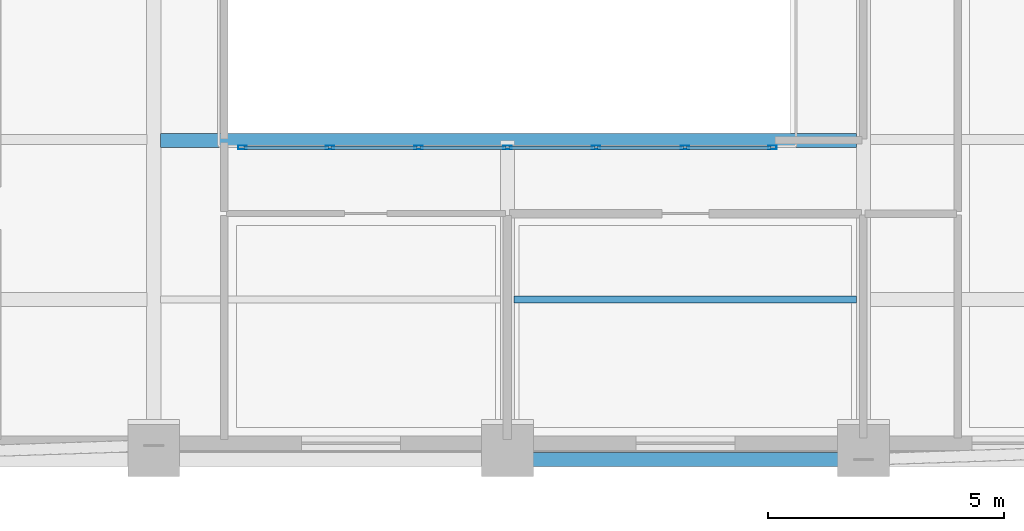
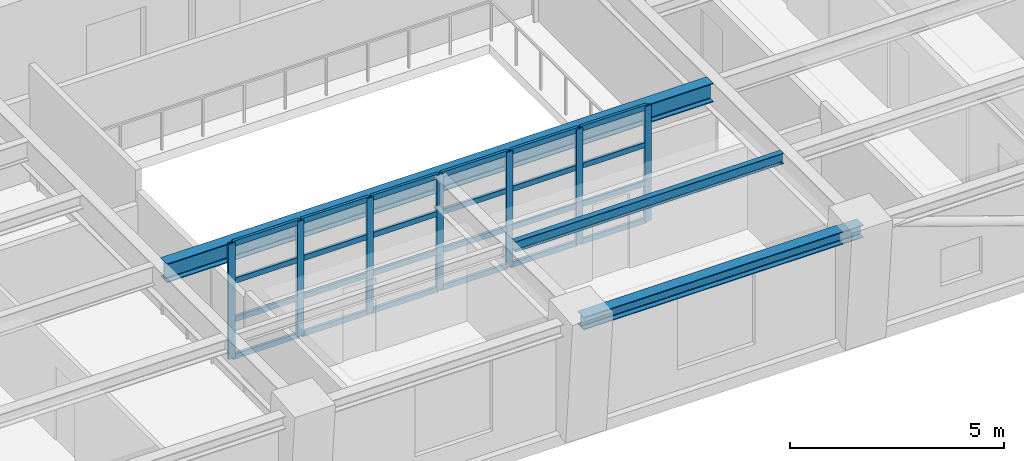
# One storey, part 2 of 12: 31 members, 3 beams, 1 element without a shape of its own.
"""IFC4 building model written with IfcOpenShell, lengths in metres."""

from ifc_helpers import new_model, si_unit, direction, frame, origin, origin_2d, place, context, subcontext, project, spatial, hollow_rectangle, i_section, extrude, material, layer, layer_set, material_profile, profile_set, type_object, element, aggregate, save


model = new_model("IFC4")

# Units and contexts
model_context = context("Model", 3, precision=1e-05, world=origin(), true_north=direction((0.0, 1.0)))
body_context = subcontext(model_context, "Body", "Model", "MODEL_VIEW")
ifc_project = project(units=[si_unit("LENGTHUNIT", "METRE"), si_unit("AREAUNIT", "SQUARE_METRE"), si_unit("VOLUMEUNIT", "CUBIC_METRE"), si_unit("PLANEANGLEUNIT", "RADIAN"), si_unit("MASSUNIT", "GRAM", prefix="KILO")], contexts=[model_context])

# Site, building, storey
site_placement = place(None, origin())
site = spatial("IfcSite", under=ifc_project, at=site_placement, CompositionType="ELEMENT")
building_placement = place(site_placement, origin())
building = spatial("IfcBuilding", under=site, at=building_placement, Name="Zarnavel Station Tower", CompositionType="ELEMENT")
storey_placement = place(building_placement, frame((0.0, 0.0, 173.199951171875)))
storey = spatial("IfcBuildingStorey", under=building, at=storey_placement, Name="L47", CompositionType="ELEMENT", Elevation=173.199951171875)

# Curtain wall, members
ifc_material_1 = material(Name="Aluminium Dark Anodised and Solar-Control Glass", Category="aluminium")
ifc_layer = layer(ifc_material_1, 0.179931640625)
ifc_layer_set = layer_set([ifc_layer], Name="CWS4")
curtain_wall_type = type_object("IfcCurtainWallType", Name="CWS4", PredefinedType="NOTDEFINED", material=ifc_layer_set)
curtain_wall_placement = place(storey_placement, origin())
curtain_wall = element("IfcCurtainWall", 1, at=curtain_wall_placement, inside=storey, type_object=curtain_wall_type, Name="L47 Curtain Wall CWS4-L47-AS", PredefinedType="NOTDEFINED")
ifc_material_2 = material(Name="Steel S355J2 (Black Fluoropolymer Coated)", Category="steel")
ifc_material_profile_1 = material_profile(ifc_material_2, hollow_rectangle(XDim=0.080078125, YDim=0.179931640625, WallThickness=0.00634765625, at=origin_2d()), Name="RHS180x80x6.3")
ifc_profile_set_1 = profile_set([ifc_material_profile_1], Name="Steel S355J2 (Black Fluoropolymer Coated)")
member_type_1 = type_object("IfcMemberType", Name="CWS4_MUL", PredefinedType="MULLION", material=ifc_profile_set_1)
member_1_placement = place(storey_placement, frame((23.179931640625, 16.85009765625, 0.0), z_axis=(0.0, 0.0, 1.0), x_axis=(0.0, 1.0, 0.0)))
member_1 = element("IfcMember", 2, at=member_1_placement, type_object=member_type_1, Name="CW4 mullion 1", PredefinedType="MULLION", context=body_context, shape_type="SweptSolid", body=[
    extrude(hollow_rectangle(XDim=0.080078125, YDim=0.179931640625, WallThickness=0.00634765625, at=origin_2d()), origin(), (0.0, 0.0, 1.0), 3.2900390625),
])
member_2_placement = place(storey_placement, frame((25.033447265625, 16.85009765625, 0.0), z_axis=(0.0, 0.0, 1.0), x_axis=(0.0, 1.0, 0.0)))
member_2 = element("IfcMember", 3, at=member_2_placement, type_object=member_type_1, Name="CW4 mullion 2", PredefinedType="MULLION", context=body_context, shape_type="SweptSolid", body=[
    extrude(hollow_rectangle(XDim=0.080078125, YDim=0.179931640625, WallThickness=0.00634765625, at=origin_2d()), origin(), (0.0, 0.0, 1.0), 3.2900390625),
])
member_3_placement = place(storey_placement, frame((26.916748046875, 16.85009765625, 0.0), z_axis=(0.0, 0.0, 1.0), x_axis=(0.0, 1.0, 0.0)))
member_3 = element("IfcMember", 4, at=member_3_placement, type_object=member_type_1, Name="CW4 mullion 3", PredefinedType="MULLION", context=body_context, shape_type="SweptSolid", body=[
    extrude(hollow_rectangle(XDim=0.080078125, YDim=0.179931640625, WallThickness=0.00634765625, at=origin_2d()), origin(), (0.0, 0.0, 1.0), 3.2900390625),
])
member_4_placement = place(storey_placement, frame((28.800048828125, 16.85009765625, 0.0), z_axis=(0.0, 0.0, 1.0), x_axis=(0.0, 1.0, 0.0)))
member_4 = element("IfcMember", 5, at=member_4_placement, type_object=member_type_1, Name="CW4 mullion 4", PredefinedType="MULLION", context=body_context, shape_type="SweptSolid", body=[
    extrude(hollow_rectangle(XDim=0.080078125, YDim=0.179931640625, WallThickness=0.00634765625, at=origin_2d()), origin(), (0.0, 0.0, 1.0), 3.2900390625),
])
member_5_placement = place(storey_placement, frame((30.683349609375, 16.85009765625, 0.0), z_axis=(0.0, 0.0, 1.0), x_axis=(0.0, 1.0, 0.0)))
member_5 = element("IfcMember", 6, at=member_5_placement, type_object=member_type_1, Name="CW4 mullion 5", PredefinedType="MULLION", context=body_context, shape_type="SweptSolid", body=[
    extrude(hollow_rectangle(XDim=0.080078125, YDim=0.179931640625, WallThickness=0.00634765625, at=origin_2d()), origin(), (0.0, 0.0, 1.0), 3.2900390625),
])
member_6_placement = place(storey_placement, frame((32.566650390625, 16.85009765625, 0.0), z_axis=(0.0, 0.0, 1.0), x_axis=(0.0, 1.0, 0.0)))
member_6 = element("IfcMember", 7, at=member_6_placement, type_object=member_type_1, Name="CW4 mullion 6", PredefinedType="MULLION", context=body_context, shape_type="SweptSolid", body=[
    extrude(hollow_rectangle(XDim=0.080078125, YDim=0.179931640625, WallThickness=0.00634765625, at=origin_2d()), origin(), (0.0, 0.0, 1.0), 3.2900390625),
])
member_7_placement = place(storey_placement, frame((34.419921875, 16.85009765625, 0.0), z_axis=(0.0, 0.0, 1.0), x_axis=(0.0, 1.0, 0.0)))
member_7 = element("IfcMember", 8, at=member_7_placement, type_object=member_type_1, Name="CW4 mullion 7", PredefinedType="MULLION", context=body_context, shape_type="SweptSolid", body=[
    extrude(hollow_rectangle(XDim=0.080078125, YDim=0.179931640625, WallThickness=0.00634765625, at=origin_2d()), origin(), (0.0, 0.0, 1.0), 3.2900390625),
])
ifc_material_3 = material(Name="Steel S355J2 (Black Fluoropolymer Coated)", Category="steel")
ifc_material_profile_2 = material_profile(ifc_material_3, hollow_rectangle(XDim=0.074951171875, YDim=0.14990234375, WallThickness=0.00634765625, at=origin_2d()), Name="RHS150x75x6.3")
ifc_profile_set_2 = profile_set([ifc_material_profile_2], Name="Steel S355J2 (Black Fluoropolymer Coated)")
member_type_2 = type_object("IfcMemberType", Name="CWS4_TRN", PredefinedType="USERDEFINED", material=ifc_profile_set_2)
member_8_placement = place(storey_placement, frame((23.2099609375, 16.85009765625, 0.030029296875), z_axis=(1.0, 0.0, 0.0), x_axis=(0.0, 1.0, 0.0)))
member_8 = element("IfcMember", 9, at=member_8_placement, type_object=member_type_2, Name="CW4 transom 1.1", ObjectType="TRANSOM", PredefinedType="USERDEFINED", context=body_context, shape_type="SweptSolid", body=[
    extrude(hollow_rectangle(XDim=0.074951171875, YDim=0.14990234375, WallThickness=0.00634765625, at=origin_2d()), origin(), (0.0, 0.0, 1.0), 1.79345703125),
])
member_9_placement = place(storey_placement, frame((23.2099609375, 16.85009765625, 1.0966796875), z_axis=(1.0, 0.0, 0.0), x_axis=(0.0, 1.0, 0.0)))
member_9 = element("IfcMember", 10, at=member_9_placement, type_object=member_type_2, Name="CW4 transom 1.2", ObjectType="TRANSOM", PredefinedType="USERDEFINED", context=body_context, shape_type="SweptSolid", body=[
    extrude(hollow_rectangle(XDim=0.074951171875, YDim=0.14990234375, WallThickness=0.00634765625, at=origin_2d()), origin(), (0.0, 0.0, 1.0), 1.79345703125),
])
member_10_placement = place(storey_placement, frame((23.2099609375, 16.85009765625, 2.193359375), z_axis=(1.0, 0.0, 0.0), x_axis=(0.0, 1.0, 0.0)))
member_10 = element("IfcMember", 11, at=member_10_placement, type_object=member_type_2, Name="CW4 transom 1.3", ObjectType="TRANSOM", PredefinedType="USERDEFINED", context=body_context, shape_type="SweptSolid", body=[
    extrude(hollow_rectangle(XDim=0.074951171875, YDim=0.14990234375, WallThickness=0.00634765625, at=origin_2d()), origin(), (0.0, 0.0, 1.0), 1.79345703125),
])
member_11_placement = place(storey_placement, frame((23.2099609375, 16.85009765625, 3.260009765625), z_axis=(1.0, 0.0, 0.0), x_axis=(0.0, 1.0, 0.0)))
member_11 = element("IfcMember", 12, at=member_11_placement, type_object=member_type_2, Name="CW4 transom 1.4", ObjectType="TRANSOM", PredefinedType="USERDEFINED", context=body_context, shape_type="SweptSolid", body=[
    extrude(hollow_rectangle(XDim=0.074951171875, YDim=0.14990234375, WallThickness=0.00634765625, at=origin_2d()), origin(), (0.0, 0.0, 1.0), 1.79345703125),
])
member_12_placement = place(storey_placement, frame((25.063232421875, 16.85009765625, 0.030029296875), z_axis=(1.0, 0.0, 0.0), x_axis=(0.0, 1.0, 0.0)))
member_12 = element("IfcMember", 13, at=member_12_placement, type_object=member_type_2, Name="CW4 transom 2.1", ObjectType="TRANSOM", PredefinedType="USERDEFINED", context=body_context, shape_type="SweptSolid", body=[
    extrude(hollow_rectangle(XDim=0.074951171875, YDim=0.14990234375, WallThickness=0.00634765625, at=origin_2d()), origin(), (0.0, 0.0, 1.0), 1.823486328125),
])
member_13_placement = place(storey_placement, frame((25.063232421875, 16.85009765625, 1.0966796875), z_axis=(1.0, 0.0, 0.0), x_axis=(0.0, 1.0, 0.0)))
member_13 = element("IfcMember", 14, at=member_13_placement, type_object=member_type_2, Name="CW4 transom 2.2", ObjectType="TRANSOM", PredefinedType="USERDEFINED", context=body_context, shape_type="SweptSolid", body=[
    extrude(hollow_rectangle(XDim=0.074951171875, YDim=0.14990234375, WallThickness=0.00634765625, at=origin_2d()), origin(), (0.0, 0.0, 1.0), 1.823486328125),
])
member_14_placement = place(storey_placement, frame((25.063232421875, 16.85009765625, 2.193359375), z_axis=(1.0, 0.0, 0.0), x_axis=(0.0, 1.0, 0.0)))
member_14 = element("IfcMember", 15, at=member_14_placement, type_object=member_type_2, Name="CW4 transom 2.3", ObjectType="TRANSOM", PredefinedType="USERDEFINED", context=body_context, shape_type="SweptSolid", body=[
    extrude(hollow_rectangle(XDim=0.074951171875, YDim=0.14990234375, WallThickness=0.00634765625, at=origin_2d()), origin(), (0.0, 0.0, 1.0), 1.823486328125),
])
member_15_placement = place(storey_placement, frame((25.063232421875, 16.85009765625, 3.260009765625), z_axis=(1.0, 0.0, 0.0), x_axis=(0.0, 1.0, 0.0)))
member_15 = element("IfcMember", 16, at=member_15_placement, type_object=member_type_2, Name="CW4 transom 2.4", ObjectType="TRANSOM", PredefinedType="USERDEFINED", context=body_context, shape_type="SweptSolid", body=[
    extrude(hollow_rectangle(XDim=0.074951171875, YDim=0.14990234375, WallThickness=0.00634765625, at=origin_2d()), origin(), (0.0, 0.0, 1.0), 1.823486328125),
])
member_16_placement = place(storey_placement, frame((26.94677734375, 16.85009765625, 0.030029296875), z_axis=(1.0, 0.0, 0.0), x_axis=(0.0, 1.0, 0.0)))
member_16 = element("IfcMember", 17, at=member_16_placement, type_object=member_type_2, Name="CW4 transom 3.1", ObjectType="TRANSOM", PredefinedType="USERDEFINED", context=body_context, shape_type="SweptSolid", body=[
    extrude(hollow_rectangle(XDim=0.074951171875, YDim=0.14990234375, WallThickness=0.00634765625, at=origin_2d()), origin(), (0.0, 0.0, 1.0), 1.8232421875),
])
member_17_placement = place(storey_placement, frame((26.94677734375, 16.85009765625, 1.0966796875), z_axis=(1.0, 0.0, 0.0), x_axis=(0.0, 1.0, 0.0)))
member_17 = element("IfcMember", 18, at=member_17_placement, type_object=member_type_2, Name="CW4 transom 3.2", ObjectType="TRANSOM", PredefinedType="USERDEFINED", context=body_context, shape_type="SweptSolid", body=[
    extrude(hollow_rectangle(XDim=0.074951171875, YDim=0.14990234375, WallThickness=0.00634765625, at=origin_2d()), origin(), (0.0, 0.0, 1.0), 1.8232421875),
])
member_18_placement = place(storey_placement, frame((26.94677734375, 16.85009765625, 2.193359375), z_axis=(1.0, 0.0, 0.0), x_axis=(0.0, 1.0, 0.0)))
member_18 = element("IfcMember", 19, at=member_18_placement, type_object=member_type_2, Name="CW4 transom 3.3", ObjectType="TRANSOM", PredefinedType="USERDEFINED", context=body_context, shape_type="SweptSolid", body=[
    extrude(hollow_rectangle(XDim=0.074951171875, YDim=0.14990234375, WallThickness=0.00634765625, at=origin_2d()), origin(), (0.0, 0.0, 1.0), 1.8232421875),
])
member_19_placement = place(storey_placement, frame((26.94677734375, 16.85009765625, 3.260009765625), z_axis=(1.0, 0.0, 0.0), x_axis=(0.0, 1.0, 0.0)))
member_19 = element("IfcMember", 20, at=member_19_placement, type_object=member_type_2, Name="CW4 transom 3.4", ObjectType="TRANSOM", PredefinedType="USERDEFINED", context=body_context, shape_type="SweptSolid", body=[
    extrude(hollow_rectangle(XDim=0.074951171875, YDim=0.14990234375, WallThickness=0.00634765625, at=origin_2d()), origin(), (0.0, 0.0, 1.0), 1.8232421875),
])
member_20_placement = place(storey_placement, frame((28.830078125, 16.85009765625, 0.030029296875), z_axis=(1.0, 0.0, 0.0), x_axis=(0.0, 1.0, 0.0)))
member_20 = element("IfcMember", 21, at=member_20_placement, type_object=member_type_2, Name="CW4 transom 4.1", ObjectType="TRANSOM", PredefinedType="USERDEFINED", context=body_context, shape_type="SweptSolid", body=[
    extrude(hollow_rectangle(XDim=0.074951171875, YDim=0.14990234375, WallThickness=0.00634765625, at=origin_2d()), origin(), (0.0, 0.0, 1.0), 1.8232421875),
])
member_21_placement = place(storey_placement, frame((28.830078125, 16.85009765625, 1.0966796875), z_axis=(1.0, 0.0, 0.0), x_axis=(0.0, 1.0, 0.0)))
member_21 = element("IfcMember", 22, at=member_21_placement, type_object=member_type_2, Name="CW4 transom 4.2", ObjectType="TRANSOM", PredefinedType="USERDEFINED", context=body_context, shape_type="SweptSolid", body=[
    extrude(hollow_rectangle(XDim=0.074951171875, YDim=0.14990234375, WallThickness=0.00634765625, at=origin_2d()), origin(), (0.0, 0.0, 1.0), 1.8232421875),
])
member_22_placement = place(storey_placement, frame((28.830078125, 16.85009765625, 2.193359375), z_axis=(1.0, 0.0, 0.0), x_axis=(0.0, 1.0, 0.0)))
member_22 = element("IfcMember", 23, at=member_22_placement, type_object=member_type_2, Name="CW4 transom 4.3", ObjectType="TRANSOM", PredefinedType="USERDEFINED", context=body_context, shape_type="SweptSolid", body=[
    extrude(hollow_rectangle(XDim=0.074951171875, YDim=0.14990234375, WallThickness=0.00634765625, at=origin_2d()), origin(), (0.0, 0.0, 1.0), 1.8232421875),
])
member_23_placement = place(storey_placement, frame((28.830078125, 16.85009765625, 3.260009765625), z_axis=(1.0, 0.0, 0.0), x_axis=(0.0, 1.0, 0.0)))
member_23 = element("IfcMember", 24, at=member_23_placement, type_object=member_type_2, Name="CW4 transom 4.4", ObjectType="TRANSOM", PredefinedType="USERDEFINED", context=body_context, shape_type="SweptSolid", body=[
    extrude(hollow_rectangle(XDim=0.074951171875, YDim=0.14990234375, WallThickness=0.00634765625, at=origin_2d()), origin(), (0.0, 0.0, 1.0), 1.8232421875),
])
member_24_placement = place(storey_placement, frame((30.71337890625, 16.85009765625, 0.030029296875), z_axis=(1.0, 0.0, 0.0), x_axis=(0.0, 1.0, 0.0)))
member_24 = element("IfcMember", 25, at=member_24_placement, type_object=member_type_2, Name="CW4 transom 5.1", ObjectType="TRANSOM", PredefinedType="USERDEFINED", context=body_context, shape_type="SweptSolid", body=[
    extrude(hollow_rectangle(XDim=0.074951171875, YDim=0.14990234375, WallThickness=0.00634765625, at=origin_2d()), origin(), (0.0, 0.0, 1.0), 1.8232421875),
])
member_25_placement = place(storey_placement, frame((30.71337890625, 16.85009765625, 1.0966796875), z_axis=(1.0, 0.0, 0.0), x_axis=(0.0, 1.0, 0.0)))
member_25 = element("IfcMember", 26, at=member_25_placement, type_object=member_type_2, Name="CW4 transom 5.2", ObjectType="TRANSOM", PredefinedType="USERDEFINED", context=body_context, shape_type="SweptSolid", body=[
    extrude(hollow_rectangle(XDim=0.074951171875, YDim=0.14990234375, WallThickness=0.00634765625, at=origin_2d()), origin(), (0.0, 0.0, 1.0), 1.8232421875),
])
member_26_placement = place(storey_placement, frame((30.71337890625, 16.85009765625, 2.193359375), z_axis=(1.0, 0.0, 0.0), x_axis=(0.0, 1.0, 0.0)))
member_26 = element("IfcMember", 27, at=member_26_placement, type_object=member_type_2, Name="CW4 transom 5.3", ObjectType="TRANSOM", PredefinedType="USERDEFINED", context=body_context, shape_type="SweptSolid", body=[
    extrude(hollow_rectangle(XDim=0.074951171875, YDim=0.14990234375, WallThickness=0.00634765625, at=origin_2d()), origin(), (0.0, 0.0, 1.0), 1.8232421875),
])
member_27_placement = place(storey_placement, frame((30.71337890625, 16.85009765625, 3.260009765625), z_axis=(1.0, 0.0, 0.0), x_axis=(0.0, 1.0, 0.0)))
member_27 = element("IfcMember", 28, at=member_27_placement, type_object=member_type_2, Name="CW4 transom 5.4", ObjectType="TRANSOM", PredefinedType="USERDEFINED", context=body_context, shape_type="SweptSolid", body=[
    extrude(hollow_rectangle(XDim=0.074951171875, YDim=0.14990234375, WallThickness=0.00634765625, at=origin_2d()), origin(), (0.0, 0.0, 1.0), 1.8232421875),
])
member_28_placement = place(storey_placement, frame((32.5966796875, 16.85009765625, 0.030029296875), z_axis=(1.0, 0.0, 0.0), x_axis=(0.0, 1.0, 0.0)))
member_28 = element("IfcMember", 29, at=member_28_placement, type_object=member_type_2, Name="CW4 transom 6.1", ObjectType="TRANSOM", PredefinedType="USERDEFINED", context=body_context, shape_type="SweptSolid", body=[
    extrude(hollow_rectangle(XDim=0.074951171875, YDim=0.14990234375, WallThickness=0.00634765625, at=origin_2d()), origin(), (0.0, 0.0, 1.0), 1.793212890625),
])
member_29_placement = place(storey_placement, frame((32.5966796875, 16.85009765625, 1.0966796875), z_axis=(1.0, 0.0, 0.0), x_axis=(0.0, 1.0, 0.0)))
member_29 = element("IfcMember", 30, at=member_29_placement, type_object=member_type_2, Name="CW4 transom 6.2", ObjectType="TRANSOM", PredefinedType="USERDEFINED", context=body_context, shape_type="SweptSolid", body=[
    extrude(hollow_rectangle(XDim=0.074951171875, YDim=0.14990234375, WallThickness=0.00634765625, at=origin_2d()), origin(), (0.0, 0.0, 1.0), 1.793212890625),
])
member_30_placement = place(storey_placement, frame((32.5966796875, 16.85009765625, 2.193359375), z_axis=(1.0, 0.0, 0.0), x_axis=(0.0, 1.0, 0.0)))
member_30 = element("IfcMember", 31, at=member_30_placement, type_object=member_type_2, Name="CW4 transom 6.3", ObjectType="TRANSOM", PredefinedType="USERDEFINED", context=body_context, shape_type="SweptSolid", body=[
    extrude(hollow_rectangle(XDim=0.074951171875, YDim=0.14990234375, WallThickness=0.00634765625, at=origin_2d()), origin(), (0.0, 0.0, 1.0), 1.793212890625),
])
member_31_placement = place(storey_placement, frame((32.5966796875, 16.85009765625, 3.260009765625), z_axis=(1.0, 0.0, 0.0), x_axis=(0.0, 1.0, 0.0)))
member_31 = element("IfcMember", 32, at=member_31_placement, type_object=member_type_2, Name="CW4 transom 6.4", ObjectType="TRANSOM", PredefinedType="USERDEFINED", context=body_context, shape_type="SweptSolid", body=[
    extrude(hollow_rectangle(XDim=0.074951171875, YDim=0.14990234375, WallThickness=0.00634765625, at=origin_2d()), origin(), (0.0, 0.0, 1.0), 1.793212890625),
])
aggregate(curtain_wall, [member_1, member_2, member_3, member_4, member_5, member_6, member_7, member_8, member_9, member_10, member_11, member_12, member_13, member_14, member_15, member_16, member_17, member_18, member_19, member_20, member_21, member_22, member_23, member_24, member_25, member_26, member_27, member_28, member_29, member_30, member_31])

# Beams
ifc_material_4 = material(Name="Steel S355J2", Category="steel")
ifc_material_profile_3 = material_profile(ifc_material_4, i_section(OverallWidth=0.300048828125, OverallDepth=0.360107421875, WebThickness=0.012451171875, FlangeThickness=0.0224609375, FilletRadius=0.027099609375, at=origin_2d()), Name="HEB360")
ifc_profile_set_3 = profile_set([ifc_material_profile_3], Name="Steel S355J2")
beam_type_1 = type_object("IfcBeamType", Name="EB_HEB360", PredefinedType="SPANDREL", material=ifc_profile_set_3)
beam_1_placement = place(storey_placement, frame((28.800048828125, 10.234619140625, 3.110107421875), z_axis=(1.0, 0.0, 0.0), x_axis=(0.0, 1.0, 0.0)))
element("IfcBeam", 33, at=beam_1_placement, inside=storey, type_object=beam_type_1, Name="L47 South Raked Spandrel 3", PredefinedType="SPANDREL", context=body_context, shape_type="SweptSolid", body=[
    extrude(i_section(OverallWidth=0.300048828125, OverallDepth=0.360107421875, WebThickness=0.012451171875, FlangeThickness=0.0224609375, FilletRadius=0.027099609375, at=origin_2d()), origin(), (0.0, 0.0, 1.0), 7.550048828125),
])
ifc_material_5 = material(Name="Steel S355J2", Category="steel")
ifc_material_profile_4 = material_profile(ifc_material_5, i_section(OverallWidth=0.300048828125, OverallDepth=0.5400390625, WebThickness=0.012451171875, FlangeThickness=0.02392578125, FilletRadius=0.027099609375, at=origin_2d()), Name="HEA550")
ifc_profile_set_4 = profile_set([ifc_material_profile_4], Name="Steel S355J2")
beam_type_2 = type_object("IfcBeamType", Name="FB_HEA550", PredefinedType="BEAM", material=ifc_profile_set_4)
beam_2_placement = place(storey_placement, frame((21.445068359375, 17.0, 3.02001953125), z_axis=(1.0, 0.0, 0.0), x_axis=(0.0, 1.0, 0.0)))
element("IfcBeam", 34, at=beam_2_placement, inside=storey, type_object=beam_type_2, Name="L47 Atrium South Edge Girder", PredefinedType="BEAM", context=body_context, shape_type="SweptSolid", body=[
    extrude(i_section(OverallWidth=0.300048828125, OverallDepth=0.5400390625, WebThickness=0.012451171875, FlangeThickness=0.02392578125, FilletRadius=0.027099609375, at=origin_2d()), origin(), (0.0, 0.0, 1.0), 14.760009765625),
])
ifc_material_6 = material(Name="Steel S355J2", Category="steel")
ifc_material_profile_5 = material_profile(ifc_material_6, i_section(OverallWidth=0.14990234375, OverallDepth=0.300048828125, WebThickness=0.007080078125, FlangeThickness=0.0107421875, FilletRadius=0.014892578125, at=origin_2d()), Name="IPE300")
ifc_profile_set_5 = profile_set([ifc_material_profile_5], Name="Steel S355J2")
beam_type_3 = type_object("IfcBeamType", Name="FJ_IPE300", PredefinedType="JOIST", material=ifc_profile_set_5)
beam_3_placement = place(storey_placement, frame((28.945068359375, 13.627685546875, 3.14013671875), z_axis=(1.0, 0.0, 0.0), x_axis=(0.0, 1.0, 0.0)))
element("IfcBeam", 35, at=beam_3_placement, inside=storey, type_object=beam_type_3, Name="L47 Mid-East Joist 1", PredefinedType="JOIST", context=body_context, shape_type="SweptSolid", body=[
    extrude(i_section(OverallWidth=0.14990234375, OverallDepth=0.300048828125, WebThickness=0.007080078125, FlangeThickness=0.0107421875, FilletRadius=0.014892578125, at=origin_2d()), origin(), (0.0, 0.0, 1.0), 7.260009765625),
])

save(model, "model.ifc")
